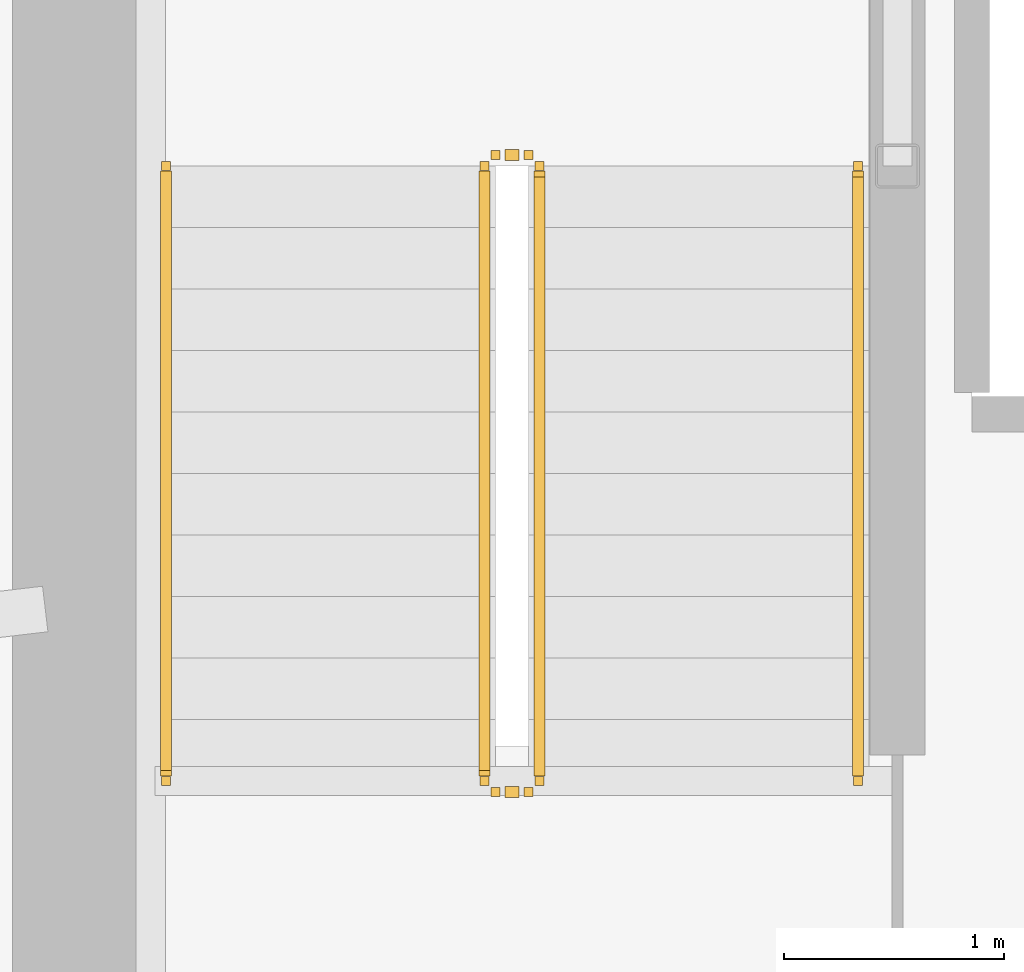
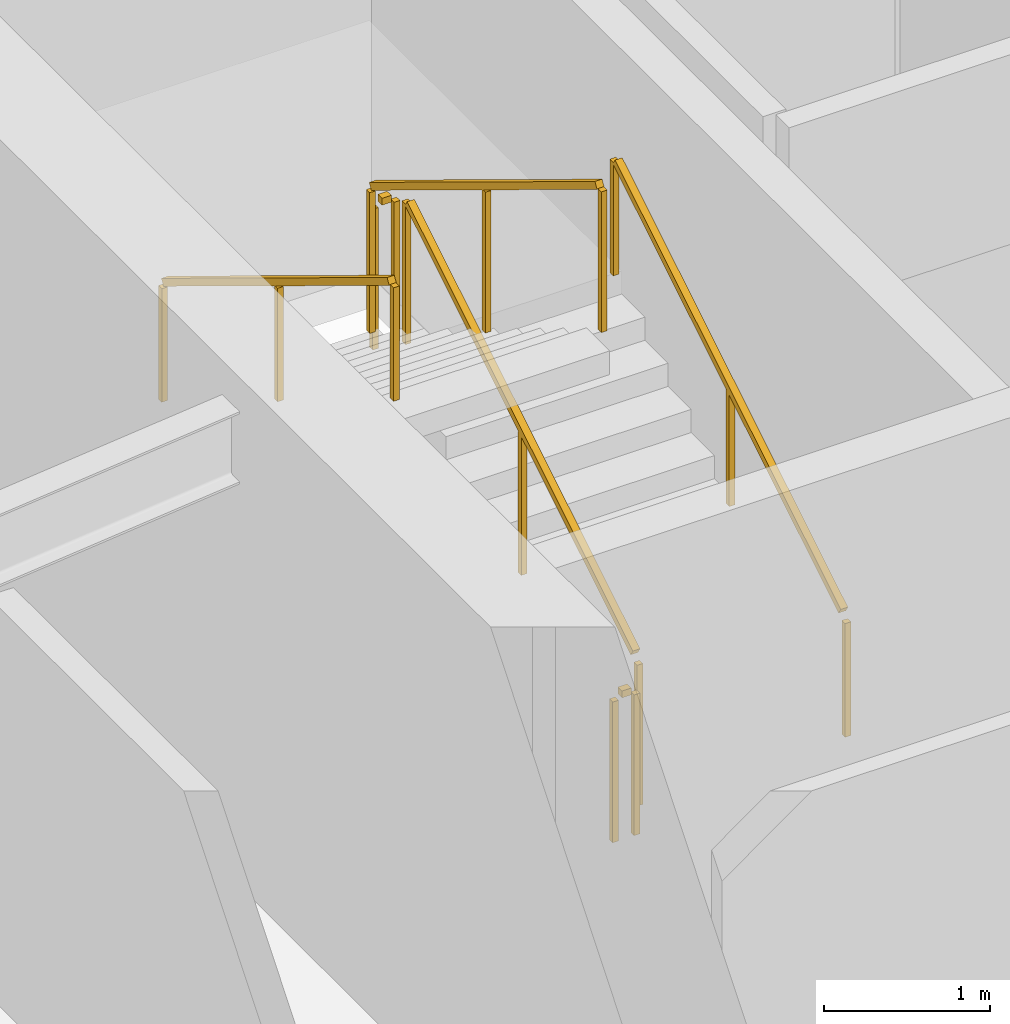
# One storey, part 18 of 21: 6 railings.
"""IFC4 building model written with IfcOpenShell, lengths in metres."""

import ifcopenshell
import ifcopenshell.guid

model = None  # the IFC model being written
_history = None  # IfcOwnerHistory: only IFC2X3 demands one
_inside = {}  # id of a spatial element -> (the spatial element, [elements in it])
_under = {}  # id of a project, library or spatial element -> (it, [spatial elements below it])
_declared = {}  # id of a project -> (the project, [libraries it declares])
_typed = {}  # id of a type object -> (the type object, [elements of that type])
_made_of = {}  # id of a material, layer set ... -> (it, [elements and type objects made of it])


def new_model(schema):
    """Start an empty IFC model of exactly this schema.

    Asked for "IFC4X3", IfcOpenShell would pick the latest addendum, in which some entities
    have other attributes; the version numbers below select the first issue.
    IFC2X3 requires an IfcOwnerHistory on every rooted entity: one is made here for all.
    """
    global model, _history
    if schema == "IFC4X3":
        model = ifcopenshell.file(schema_version=(4, 3, 0, 0))
    else:
        model = ifcopenshell.file(schema=schema)
    _inside.clear()
    _under.clear()
    _declared.clear()
    _typed.clear()
    _made_of.clear()
    _history = None
    if model.schema == "IFC2X3":
        org = make("IfcOrganization", Name="unknown")
        user = make(
            "IfcPersonAndOrganization",
            ThePerson=make("IfcPerson", FamilyName="unknown"),
            TheOrganization=org,
        )
        app = make(
            "IfcApplication",
            ApplicationDeveloper=org,
            Version="unknown",
            ApplicationFullName="unknown",
            ApplicationIdentifier="unknown",
        )
        _history = make(
            "IfcOwnerHistory",
            OwningUser=user,
            OwningApplication=app,
            ChangeAction="ADDED",
            CreationDate=0,
        )
    return model


def make(cls, **values):
    """One entity of the class cls with the attributes given. An attribute that is None is left unset."""
    return model.create_entity(
        cls, **{name: value for name, value in values.items() if value is not None}
    )


def rooted(cls, **values):
    """An entity with a GlobalId (a new one), such as an element, a storey or a relation."""
    return make(cls, GlobalId=ifcopenshell.guid.new(), OwnerHistory=_history, **values)


def si_unit(unit_type, name, prefix=None):
    """IfcSIUnit, for example si_unit("LENGTHUNIT", "METRE", prefix="MILLI")."""
    return make("IfcSIUnit", UnitType=unit_type, Prefix=prefix, Name=name)


def assignment(units):
    """IfcUnitAssignment: the units of a project."""
    return None if units is None else make("IfcUnitAssignment", Units=units)


def point(xyz):
    """IfcCartesianPoint."""
    return None if xyz is None else make("IfcCartesianPoint", Coordinates=xyz)


def direction(xyz):
    """IfcDirection."""
    return None if xyz is None else make("IfcDirection", DirectionRatios=xyz)


def frame(location, z_axis=None, x_axis=None):
    """IfcAxis2Placement3D, a coordinate frame: its origin and axes. An axis left out is left unset."""
    return make(
        "IfcAxis2Placement3D",
        Location=point(location),
        Axis=direction(z_axis),
        RefDirection=direction(x_axis),
    )


def frame_2d(location, x_axis=None):
    """IfcAxis2Placement2D, a coordinate frame in the plane: its origin and x axis."""
    return make(
        "IfcAxis2Placement2D", Location=point(location), RefDirection=direction(x_axis)
    )


def origin():
    """The frame at (0, 0, 0) with its axes left unset."""
    return frame((0.0, 0.0, 0.0))


def origin_2d():
    """The frame at (0, 0) in the plane with its x axis left unset."""
    return frame_2d((0.0, 0.0))


def place(relative_to, where):
    """IfcLocalPlacement: puts the frame where relative to a parent placement (None: the world)."""
    return make(
        "IfcLocalPlacement", PlacementRelTo=relative_to, RelativePlacement=where
    )


def context(
    kind, dimensions, precision=None, world=None, true_north=None, identifier=None
):
    """IfcGeometricRepresentationContext, for example the 3D "Model" context."""
    return make(
        "IfcGeometricRepresentationContext",
        ContextIdentifier=identifier,
        ContextType=kind,
        CoordinateSpaceDimension=dimensions,
        Precision=precision,
        WorldCoordinateSystem=world,
        TrueNorth=true_north,
    )


def subcontext(parent, identifier, kind, view, scale=None):
    """IfcGeometricRepresentationSubContext, for example "Body" below "Model"."""
    return make(
        "IfcGeometricRepresentationSubContext",
        ContextIdentifier=identifier,
        ContextType=kind,
        ParentContext=parent,
        TargetScale=scale,
        TargetView=view,
    )


def project(units=None, contexts=None):
    """IfcProject with its units and contexts."""
    return rooted(
        "IfcProject",
        Name="project",
        RepresentationContexts=contexts,
        UnitsInContext=assignment(units),
    )


def spatial(cls, under=None, at=None, **own):
    """A site, building, storey or space (cls), placed at a placement, below another one or the project."""
    s = rooted(cls, ObjectPlacement=at, **own)
    if under is not None:
        _under.setdefault(under.id(), (under, []))[1].append(s)
    return s


def profile(cls, at=None, kind="AREA", **sizes):
    """A parametric profile (cls). Its sizes go by their IFC names, for example OverallWidth=200.0."""
    return make(cls, ProfileType=kind, Position=at, **sizes)


def rectangle(**sizes):
    """IfcRectangleProfileDef."""
    return profile("IfcRectangleProfileDef", **sizes)


def extrude(swept, where, along, depth):
    """IfcExtrudedAreaSolid: the profile swept, set in the frame where, extruded along a direction by depth."""
    return make(
        "IfcExtrudedAreaSolid",
        SweptArea=swept,
        Position=where,
        ExtrudedDirection=direction(along),
        Depth=depth,
    )


def shape(context_of_items, identifier, shape_type, items):
    """IfcShapeRepresentation: the items that make up one representation, for example the "Body"."""
    return make(
        "IfcShapeRepresentation",
        ContextOfItems=context_of_items,
        RepresentationIdentifier=identifier,
        RepresentationType=shape_type,
        Items=items,
    )


def material(Name=None, Category=None):
    """IfcMaterial."""
    return make("IfcMaterial", Name=Name, Category=Category)


def made_of(thing, what):
    """Note that an element or type object is made of a material, layer set ...; save() writes the relation."""
    if what is not None:
        _made_of.setdefault(what.id(), (what, []))[1].append(thing)
    return thing


def type_object(cls, material=None, **own):
    """A type object (cls), such as IfcWallType, which elements share."""
    return made_of(rooted(cls, **own), material)


def element(
    cls,
    number,
    at=None,
    inside=None,
    cuts=None,
    type_object=None,
    material=None,
    context=None,
    identifier="Body",
    shape_type=None,
    held_by="IfcProductDefinitionShape",
    body=None,
    shapes=None,
    **own,
):
    """One element of the class cls, such as IfcWall. Its Tag is "e" and its number.

    at: its placement. inside: the storey or other place that contains it. cuts: it is an
    opening in that element (IfcRelVoidsElement). A single representation is given by context,
    identifier, shape_type and body (its items); several are given by shapes. held_by: the class
    of the entity that holds the representations. save() writes the other relations.
    """
    e = rooted(cls, Tag="e%d" % number, ObjectPlacement=at, **own)
    if body is not None:
        shapes = [shape(context, identifier, shape_type, body)]
    if shapes is not None:
        e.Representation = make(held_by, Representations=shapes)
    if inside is not None:
        _inside.setdefault(inside.id(), (inside, []))[1].append(e)
    if cuts is not None:
        rooted(
            "IfcRelVoidsElement", RelatingBuildingElement=cuts, RelatedOpeningElement=e
        )
    if type_object is not None:
        _typed.setdefault(type_object.id(), (type_object, []))[1].append(e)
    return made_of(e, material)


def aggregate(whole, parts):
    """IfcRelAggregates: a whole, such as a stair, and the parts it consists of."""
    return rooted("IfcRelAggregates", RelatingObject=whole, RelatedObjects=parts)


def save(model, path):
    """Write the relations noted so far, then the file.

    IfcRelAggregates (storeys below a building ...), IfcRelContainedInSpatialStructure (elements
    in a storey), IfcRelDefinesByType, IfcRelAssociatesMaterial and IfcRelDeclares: one each for
    every whole, place, type object, material and project.
    """
    for whole, parts in _under.values():
        aggregate(whole, parts)
    for where, things in _inside.values():
        rooted(
            "IfcRelContainedInSpatialStructure",
            RelatedElements=things,
            RelatingStructure=where,
        )
    for kind, things in _typed.values():
        rooted("IfcRelDefinesByType", RelatedObjects=things, RelatingType=kind)
    for what, things in _made_of.values():
        rooted("IfcRelAssociatesMaterial", RelatedObjects=things, RelatingMaterial=what)
    for by, libraries in _declared.values():
        rooted("IfcRelDeclares", RelatingContext=by, RelatedDefinitions=libraries)
    model.write(path)


model = new_model("IFC4")

# Units and contexts
model_context = context("Model", 3, precision=1e-05, world=origin(), true_north=direction((0.0, 1.0)))
body_context = subcontext(model_context, "Body", "Model", "MODEL_VIEW")
ifc_project = project(units=[si_unit("LENGTHUNIT", "METRE"), si_unit("AREAUNIT", "SQUARE_METRE"), si_unit("VOLUMEUNIT", "CUBIC_METRE"), si_unit("PLANEANGLEUNIT", "RADIAN"), si_unit("MASSUNIT", "GRAM", prefix="KILO")], contexts=[model_context])

# Site, building, storey
site_placement = place(None, origin())
site = spatial("IfcSite", under=ifc_project, at=site_placement, CompositionType="ELEMENT")
building_placement = place(site_placement, origin())
building = spatial("IfcBuilding", under=site, at=building_placement, Name="Kazma Halo Residences", CompositionType="ELEMENT")
storey_placement = place(building_placement, frame((0.0, 0.0, 184.050048828125)))
storey = spatial("IfcBuildingStorey", under=building, at=storey_placement, Name="L46", CompositionType="ELEMENT", Elevation=184.050048828125)

# Railings
ifc_material_1 = material(Name="Painted Steel S355", Category="steel")
railing_type_1 = type_object("IfcRailingType", Name="RLG-STAIR-GRD-1100", PredefinedType="GUARDRAIL", material=ifc_material_1)
railing_1_placement = place(storey_placement, frame((39.550048828125, 39.949951171875, 0.17041015625)))
element("IfcRailing", 1, at=railing_1_placement, inside=storey, type_object=railing_type_1, Name="L46 ST-01 stair guard 1", PredefinedType="GUARDRAIL", context=body_context, shape_type="SweptSolid", body=[
    extrude(rectangle(XDim=0.050048828125, YDim=0.050048828125, at=origin_2d()), frame((0.0, 0.036376953125, 1.09716796875), z_axis=(0.0, 0.854169791009, 0.51999420009), x_axis=(-1.0, 0.0, 0.0)), (0.0, 0.0, 1.0), 3.193115234375),
    extrude(rectangle(XDim=0.0400390625, YDim=0.0400390625, at=origin_2d()), origin(), (0.0, 0.0, 1.0), 1.0380859375),
    extrude(rectangle(XDim=0.0400390625, YDim=0.0400390625, at=origin_2d()), frame((0.0, 1.39990234375, 0.852294921875)), (0.0, 0.0, 1.0), 1.0380859375),
    extrude(rectangle(XDim=0.0400390625, YDim=0.0400390625, at=origin_2d()), frame((0.0, 2.800048828125, 1.70458984375)), (0.0, 0.0, 1.0), 1.0380859375),
])
railing_2_placement = place(storey_placement, frame((39.5, 42.800048828125, 1.875)))
element("IfcRailing", 2, at=railing_2_placement, inside=storey, type_object=railing_type_1, Name="L46 ST-01 stair guard 2", PredefinedType="GUARDRAIL", context=body_context, shape_type="SweptSolid", body=[
    extrude(rectangle(XDim=0.050048828125, YDim=0.050048828125, at=origin_2d()), frame((-0.04248046875, 0.0, 1.0751953125), z_axis=(-1.0, 0.0, 0.0), x_axis=(0.0, -1.0, 0.0)), (0.0, 0.0, 1.0), 0.06494140625),
    extrude(rectangle(XDim=0.0400390625, YDim=0.0400390625, at=origin_2d()), origin(), (0.0, 0.0, 1.0), 1.0380859375),
    extrude(rectangle(XDim=0.0400390625, YDim=0.0400390625, at=origin_2d()), frame((-0.14990234375, 0.0, 0.0)), (0.0, 0.0, 1.0), 1.0380859375),
])
railing_3_placement = place(storey_placement, frame((39.300048828125, 42.75, 2.04541015625)))
element("IfcRailing", 3, at=railing_3_placement, inside=storey, type_object=railing_type_1, Name="L46 ST-01 stair guard 3", PredefinedType="GUARDRAIL", context=body_context, shape_type="SweptSolid", body=[
    extrude(rectangle(XDim=0.050048828125, YDim=0.050048828125, at=origin_2d()), frame((0.0, -0.036376953125, 1.09716796875), z_axis=(0.0, -0.854169791009, 0.51999420009), x_axis=(1.0, 0.0, 0.0)), (0.0, 0.0, 1.0), 3.193115234375),
    extrude(rectangle(XDim=0.0400390625, YDim=0.0400390625, at=origin_2d()), origin(), (0.0, 0.0, 1.0), 1.0380859375),
    extrude(rectangle(XDim=0.0400390625, YDim=0.0400390625, at=origin_2d()), frame((0.0, -1.39990234375, 0.852294921875)), (0.0, 0.0, 1.0), 1.0380859375),
    extrude(rectangle(XDim=0.0400390625, YDim=0.0400390625, at=origin_2d()), frame((0.0, -2.800048828125, 1.70458984375)), (0.0, 0.0, 1.0), 1.0380859375),
])
railing_4_placement = place(storey_placement, frame((39.5, 39.89990234375, 0.0)))
element("IfcRailing", 4, at=railing_4_placement, inside=storey, type_object=railing_type_1, Name="L46 ST-01 stair guard 4", PredefinedType="GUARDRAIL", context=body_context, shape_type="SweptSolid", body=[
    extrude(rectangle(XDim=0.050048828125, YDim=0.050048828125, at=origin_2d()), frame((-0.04248046875, 0.0, 1.0751953125), z_axis=(-1.0, 0.0, 0.0), x_axis=(0.0, -1.0, 0.0)), (0.0, 0.0, 1.0), 0.06494140625),
    extrude(rectangle(XDim=0.0400390625, YDim=0.0400390625, at=origin_2d()), origin(), (0.0, 0.0, 1.0), 1.0380859375),
    extrude(rectangle(XDim=0.0400390625, YDim=0.0400390625, at=origin_2d()), frame((-0.14990234375, 0.0, 0.0)), (0.0, 0.0, 1.0), 1.0380859375),
])
ifc_material_2 = material(Name="Brushed Stainless Steel", Category="steel")
railing_type_2 = type_object("IfcRailingType", Name="RLG-STAIR-HND-900", PredefinedType="HANDRAIL", material=ifc_material_2)
railing_5_placement = place(storey_placement, frame((41.0, 39.949951171875, 0.17041015625)))
element("IfcRailing", 5, at=railing_5_placement, inside=storey, type_object=railing_type_2, Name="L46 ST-01 stair handrail 1", PredefinedType="HANDRAIL", context=body_context, shape_type="SweptSolid", body=[
    extrude(rectangle(XDim=0.050048828125, YDim=0.050048828125, at=origin_2d()), frame((0.0, 0.036376953125, 0.89697265625), z_axis=(0.0, 0.854169791009, 0.51999420009), x_axis=(-1.0, 0.0, 0.0)), (0.0, 0.0, 1.0), 3.193115234375),
    extrude(rectangle(XDim=0.0400390625, YDim=0.0400390625, at=origin_2d()), origin(), (0.0, 0.0, 1.0), 0.837890625),
    extrude(rectangle(XDim=0.0400390625, YDim=0.0400390625, at=origin_2d()), frame((0.0, 1.39990234375, 0.852294921875)), (0.0, 0.0, 1.0), 0.837890625),
    extrude(rectangle(XDim=0.0400390625, YDim=0.0400390625, at=origin_2d()), frame((0.0, 2.800048828125, 1.70458984375)), (0.0, 0.0, 1.0), 0.837890625),
])
railing_6_placement = place(storey_placement, frame((37.85009765625, 42.75, 2.04541015625)))
element("IfcRailing", 6, at=railing_6_placement, inside=storey, type_object=railing_type_2, Name="L46 ST-01 stair handrail 2", PredefinedType="HANDRAIL", context=body_context, shape_type="SweptSolid", body=[
    extrude(rectangle(XDim=0.050048828125, YDim=0.050048828125, at=origin_2d()), frame((0.0, -0.036376953125, 0.89697265625), z_axis=(0.0, -0.854169791009, 0.51999420009), x_axis=(1.0, 0.0, 0.0)), (0.0, 0.0, 1.0), 3.193115234375),
    extrude(rectangle(XDim=0.0400390625, YDim=0.0400390625, at=origin_2d()), origin(), (0.0, 0.0, 1.0), 0.837890625),
    extrude(rectangle(XDim=0.0400390625, YDim=0.0400390625, at=origin_2d()), frame((0.0, -1.39990234375, 0.852294921875)), (0.0, 0.0, 1.0), 0.837890625),
    extrude(rectangle(XDim=0.0400390625, YDim=0.0400390625, at=origin_2d()), frame((0.0, -2.800048828125, 1.70458984375)), (0.0, 0.0, 1.0), 0.837890625),
])

save(model, "model.ifc")
